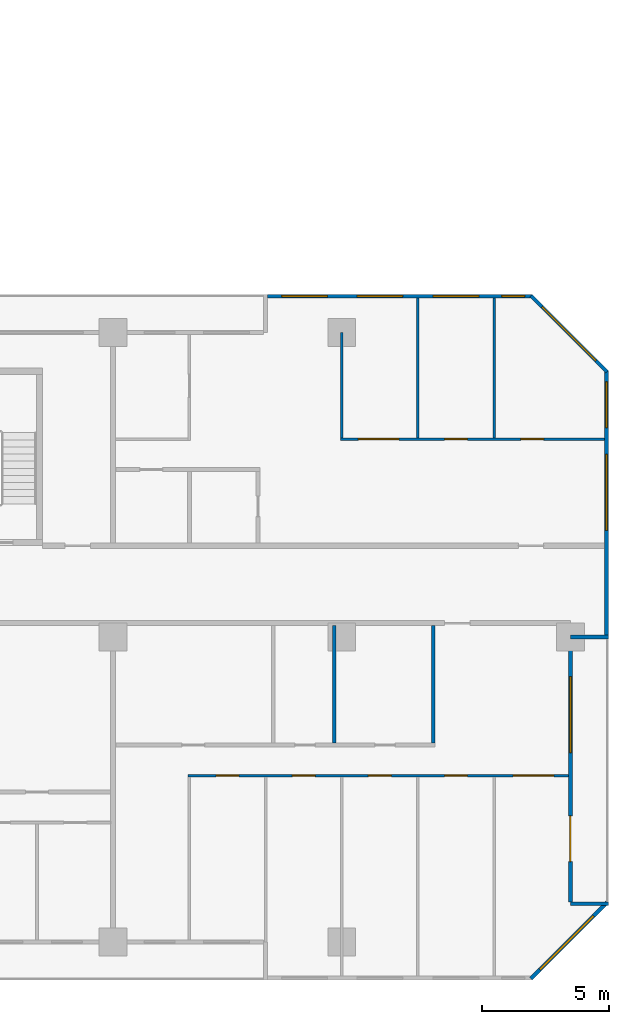
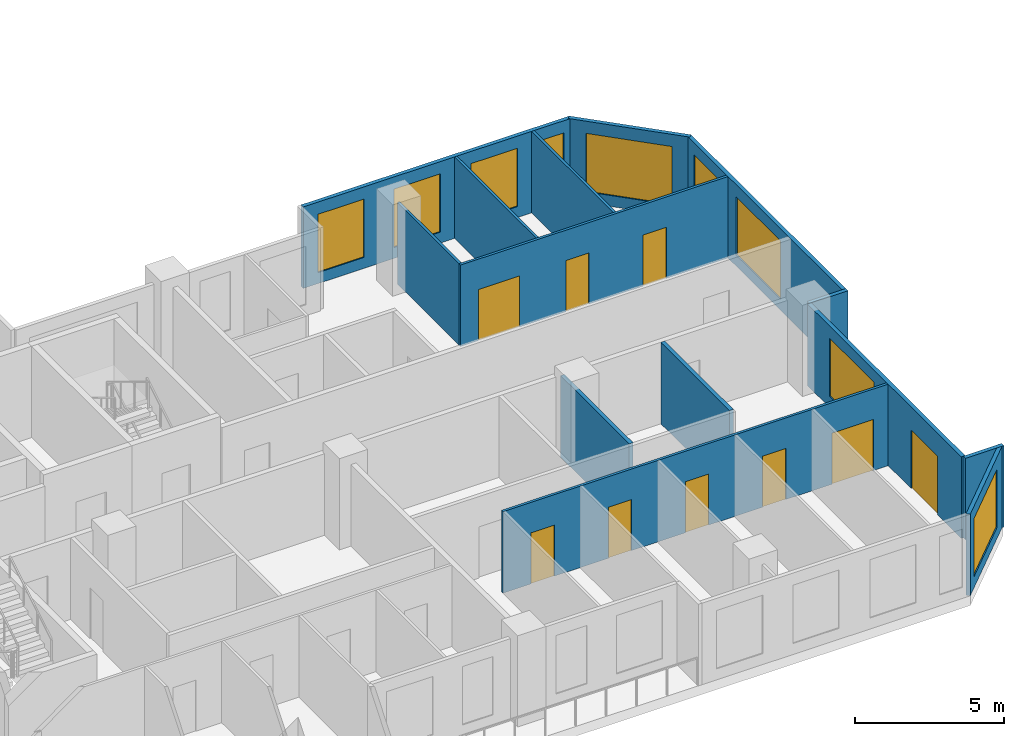
# One storey, part 12 of 15: 14 walls, 9 doors, 9 windows, 18 openings.
"""IFC4 building model written with IfcOpenShell, lengths in metres."""

from ifc_helpers import new_model, si_unit, direction, frame, frame_2d, origin, place, context, subcontext, project, spatial, rectangle, extrude, material, layer, layer_set, type_object, element, fill, save


model = new_model("IFC4")

# Units and contexts
model_context = context("Model", 3, precision=1e-05, world=origin(), true_north=direction((0.0, 1.0)))
body_context = subcontext(model_context, "Body", "Model", "MODEL_VIEW")
ifc_project = project(units=[si_unit("LENGTHUNIT", "METRE"), si_unit("AREAUNIT", "SQUARE_METRE"), si_unit("VOLUMEUNIT", "CUBIC_METRE"), si_unit("PLANEANGLEUNIT", "RADIAN"), si_unit("MASSUNIT", "GRAM", prefix="KILO")], contexts=[model_context])

# Site, building, storey
site_placement = place(None, origin())
site = spatial("IfcSite", under=ifc_project, at=site_placement, CompositionType="ELEMENT")
building_placement = place(site_placement, origin())
building = spatial("IfcBuilding", under=site, at=building_placement, Name="Chenar Terraces", CompositionType="ELEMENT")
storey_placement = place(building_placement, frame((0.0, 0.0, 67.64990234375)))
storey = spatial("IfcBuildingStorey", under=building, at=storey_placement, Name="L14", CompositionType="ELEMENT", Elevation=67.64990234375)

# Wall, openings, windows
ifc_material_1 = material(Name="Aluminium framed glazing", Category="aluminium")
ifc_layer_1 = layer(ifc_material_1, 0.14990234375)
ifc_layer_set_1 = layer_set([ifc_layer_1], Name="Aluminium framed glazing")
wall_type_1 = type_object("IfcWallType", Name="Glazed flush facade wall 150", PredefinedType="SOLIDWALL", material=ifc_layer_set_1)
wall_1_placement = place(storey_placement, frame((70.5, 25.425048828125, 0.0), z_axis=(0.0, 0.0, 1.0), x_axis=(-1.0, 0.0, 0.0)))
wall_1 = element("IfcWall", 1, at=wall_1_placement, inside=storey, type_object=wall_type_1, Name="Glazed flush facade wall", PredefinedType="SOLIDWALL", context=body_context, shape_type="SweptSolid", body=[
    extrude(rectangle(XDim=10.425048828125, YDim=0.14990234375, at=frame_2d((5.21240234375, 0.0))), origin(), (0.0, 0.0, 1.0), 3.35009765625),
])
opening_1_placement = place(wall_1_placement, frame((0.300048828125, 0.0, 0.449951171875)))
opening_1 = element("IfcOpeningElement", 2, at=opening_1_placement, cuts=wall_1, Name="Opening W90x240", PredefinedType="OPENING", context=body_context, shape_type="SweptSolid", body=[
    extrude(rectangle(XDim=0.89990234375, YDim=2.39990234375, at=frame_2d((0.449951171875, 1.199951171875))), frame((0.0, 0.0849609375, 0.0), z_axis=(0.0, -1.0, 0.0), x_axis=(1.0, 0.0, 0.0)), (0.0, 0.0, 1.0), 0.169921875),
])
opening_2_placement = place(wall_1_placement, frame((2.10009765625, 0.0, 0.449951171875)))
opening_2 = element("IfcOpeningElement", 3, at=opening_2_placement, cuts=wall_1, Name="Opening W180x240", PredefinedType="OPENING", context=body_context, shape_type="SweptSolid", body=[
    extrude(rectangle(XDim=1.800048828125, YDim=2.39990234375, at=frame_2d((0.89990234375, 1.199951171875))), frame((0.0, 0.0849609375, 0.0), z_axis=(0.0, -1.0, 0.0), x_axis=(1.0, 0.0, 0.0)), (0.0, 0.0, 1.0), 0.169921875),
])
opening_3_placement = place(wall_1_placement, frame((5.10009765625, 0.0, 0.449951171875)))
opening_3 = element("IfcOpeningElement", 4, at=opening_3_placement, cuts=wall_1, Name="Opening W180x240", PredefinedType="OPENING", context=body_context, shape_type="SweptSolid", body=[
    extrude(rectangle(XDim=1.800048828125, YDim=2.39990234375, at=frame_2d((0.89990234375, 1.199951171875))), frame((0.0, 0.0849609375, 0.0), z_axis=(0.0, -1.0, 0.0), x_axis=(1.0, 0.0, 0.0)), (0.0, 0.0, 1.0), 0.169921875),
])
opening_4_placement = place(wall_1_placement, frame((8.0625, 0.0, 0.449951171875)))
opening_4 = element("IfcOpeningElement", 5, at=opening_4_placement, cuts=wall_1, Name="Opening W180x240", PredefinedType="OPENING", context=body_context, shape_type="SweptSolid", body=[
    extrude(rectangle(XDim=1.800048828125, YDim=2.39990234375, at=frame_2d((0.89990234375, 1.199951171875))), frame((0.0, 0.0849609375, 0.0), z_axis=(0.0, -1.0, 0.0), x_axis=(1.0, 0.0, 0.0)), (0.0, 0.0, 1.0), 0.169921875),
])
ifc_material_2 = material(Name="Low emissivity double glazing, aluminium frame", Category="aluminium")
window_type_1 = type_object("IfcWindowType", Name="Fixed light 1800 x 2400", PartitioningType="SINGLE_PANEL", PredefinedType="WINDOW", material=ifc_material_2)
window_1_placement = place(opening_2_placement, origin())
window_1 = element("IfcWindow", 6, at=window_1_placement, inside=storey, type_object=window_type_1, Name="Window", OverallHeight=2.39990234375, OverallWidth=1.800048828125, PartitioningType="SINGLE_PANEL", PredefinedType="WINDOW", context=body_context, shape_type="SweptSolid", body=[
    extrude(rectangle(XDim=1.800048828125, YDim=2.39990234375, at=frame_2d((0.89990234375, 1.199951171875))), frame((0.0, 0.030029296875, 0.0), z_axis=(0.0, -1.0, 0.0), x_axis=(1.0, 0.0, 0.0)), (0.0, 0.0, 1.0), 0.06005859375),
])
fill(opening_2, window_1)
window_2_placement = place(opening_3_placement, origin())
window_2 = element("IfcWindow", 7, at=window_2_placement, inside=storey, type_object=window_type_1, Name="Window", OverallHeight=2.39990234375, OverallWidth=1.800048828125, PartitioningType="SINGLE_PANEL", PredefinedType="WINDOW", context=body_context, shape_type="SweptSolid", body=[
    extrude(rectangle(XDim=1.800048828125, YDim=2.39990234375, at=frame_2d((0.89990234375, 1.199951171875))), frame((0.0, 0.030029296875, 0.0), z_axis=(0.0, -1.0, 0.0), x_axis=(1.0, 0.0, 0.0)), (0.0, 0.0, 1.0), 0.06005859375),
])
fill(opening_3, window_2)
window_3_placement = place(opening_4_placement, origin())
window_3 = element("IfcWindow", 8, at=window_3_placement, inside=storey, type_object=window_type_1, Name="Window", OverallHeight=2.39990234375, OverallWidth=1.800048828125, PartitioningType="SINGLE_PANEL", PredefinedType="WINDOW", context=body_context, shape_type="SweptSolid", body=[
    extrude(rectangle(XDim=1.800048828125, YDim=2.39990234375, at=frame_2d((0.89990234375, 1.199951171875))), frame((0.0, 0.030029296875, 0.0), z_axis=(0.0, -1.0, 0.0), x_axis=(1.0, 0.0, 0.0)), (0.0, 0.0, 1.0), 0.06005859375),
])
fill(opening_4, window_3)
ifc_material_3 = material(Name="Low emissivity double glazing, aluminium frame", Category="aluminium")
window_type_2 = type_object("IfcWindowType", Name="Fixed light 900 x 2400", PartitioningType="SINGLE_PANEL", PredefinedType="WINDOW", material=ifc_material_3)
window_4_placement = place(opening_1_placement, origin())
window_4 = element("IfcWindow", 9, at=window_4_placement, inside=storey, type_object=window_type_2, Name="Window", OverallHeight=2.39990234375, OverallWidth=0.89990234375, PartitioningType="SINGLE_PANEL", PredefinedType="WINDOW", context=body_context, shape_type="SweptSolid", body=[
    extrude(rectangle(XDim=0.89990234375, YDim=2.39990234375, at=frame_2d((0.449951171875, 1.199951171875))), frame((0.0, 0.030029296875, 0.0), z_axis=(0.0, -1.0, 0.0), x_axis=(1.0, 0.0, 0.0)), (0.0, 0.0, 1.0), 0.06005859375),
])
fill(opening_1, window_4)

wall_2_placement = place(storey_placement, frame((73.425048828125, 12.074951171875, 0.0), z_axis=(0.0, 0.0, 1.0), x_axis=(0.0, 1.0, 0.0)))
wall_2 = element("IfcWall", 10, at=wall_2_placement, inside=storey, type_object=wall_type_1, Name="Glazed flush facade wall", PredefinedType="SOLIDWALL", context=body_context, shape_type="SweptSolid", body=[
    extrude(rectangle(XDim=10.425048828125, YDim=0.14990234375, at=frame_2d((5.21240234375, 0.0))), origin(), (0.0, 0.0, 1.0), 3.35009765625),
])
opening_5_placement = place(wall_2_placement, frame((4.125, 0.0, 0.449951171875)))
opening_5 = element("IfcOpeningElement", 11, at=opening_5_placement, cuts=wall_2, Name="Opening W300x240", PredefinedType="OPENING", context=body_context, shape_type="SweptSolid", body=[
    extrude(rectangle(XDim=3.0, YDim=2.39990234375, at=frame_2d((1.5, 1.199951171875))), frame((0.0, 0.0849609375, 0.0), z_axis=(0.0, -1.0, 0.0), x_axis=(1.0, 0.0, 0.0)), (0.0, 0.0, 1.0), 0.169921875),
])
opening_6_placement = place(wall_2_placement, frame((8.175048828125, 0.0, 0.449951171875)))
opening_6 = element("IfcOpeningElement", 12, at=opening_6_placement, cuts=wall_2, Name="Opening W180x240", PredefinedType="OPENING", context=body_context, shape_type="SweptSolid", body=[
    extrude(rectangle(XDim=1.800048828125, YDim=2.39990234375, at=frame_2d((0.89990234375, 1.199951171875))), frame((0.0, 0.0849609375, 0.0), z_axis=(0.0, -1.0, 0.0), x_axis=(1.0, 0.0, 0.0)), (0.0, 0.0, 1.0), 0.169921875),
])
window_5_placement = place(opening_6_placement, origin())
window_5 = element("IfcWindow", 13, at=window_5_placement, inside=storey, type_object=window_type_1, Name="Window", OverallHeight=2.39990234375, OverallWidth=1.800048828125, PartitioningType="SINGLE_PANEL", PredefinedType="WINDOW", context=body_context, shape_type="SweptSolid", body=[
    extrude(rectangle(XDim=1.800048828125, YDim=2.39990234375, at=frame_2d((0.89990234375, 1.199951171875))), frame((0.0, 0.030029296875, 0.0), z_axis=(0.0, -1.0, 0.0), x_axis=(1.0, 0.0, 0.0)), (0.0, 0.0, 1.0), 0.06005859375),
])
fill(opening_6, window_5)
ifc_material_4 = material(Name="Low emissivity double glazing, aluminium frame", Category="aluminium")
window_type_3 = type_object("IfcWindowType", Name="Fixed light 3000 x 2400", PartitioningType="SINGLE_PANEL", PredefinedType="WINDOW", material=ifc_material_4)
window_6_placement = place(opening_5_placement, origin())
window_6 = element("IfcWindow", 14, at=window_6_placement, inside=storey, type_object=window_type_3, Name="Window", OverallHeight=2.39990234375, OverallWidth=3.0, PartitioningType="SINGLE_PANEL", PredefinedType="WINDOW", context=body_context, shape_type="SweptSolid", body=[
    extrude(rectangle(XDim=3.0, YDim=2.39990234375, at=frame_2d((1.5, 1.199951171875))), frame((0.0, 0.030029296875, 0.0), z_axis=(0.0, -1.0, 0.0), x_axis=(1.0, 0.0, 0.0)), (0.0, 0.0, 1.0), 0.06005859375),
])
fill(opening_5, window_6)

# Wall, openings, window, door
ifc_material_5 = material(Name="Aluminium framed glazing", Category="aluminium")
ifc_layer_2 = layer(ifc_material_5, 0.14990234375)
ifc_layer_set_2 = layer_set([ifc_layer_2], Name="Aluminium framed glazing")
wall_type_2 = type_object("IfcWallType", Name="Glazed loggia back wall 150", PredefinedType="SOLIDWALL", material=ifc_layer_set_2)
wall_3_placement = place(storey_placement, frame((72.0, 1.574951171875, 0.0), z_axis=(0.0, 0.0, 1.0), x_axis=(0.0, 1.0, 0.0)))
wall_3 = element("IfcWall", 15, at=wall_3_placement, inside=storey, type_object=wall_type_2, Name="Glazed loggia back wall", PredefinedType="SOLIDWALL", context=body_context, shape_type="SweptSolid", body=[
    extrude(rectangle(XDim=10.35009765625, YDim=0.14990234375, at=frame_2d((5.175048828125, 0.0))), origin(), (0.0, 0.0, 1.0), 3.35009765625),
])
opening_7_placement = place(wall_3_placement, frame((1.58740234375, 0.0, 0.0)))
opening_7 = element("IfcOpeningElement", 16, at=opening_7_placement, cuts=wall_3, Name="Opening DL14-G6", PredefinedType="OPENING", context=body_context, shape_type="SweptSolid", body=[
    extrude(rectangle(XDim=1.800048828125, YDim=2.39990234375, at=frame_2d((0.89990234375, 1.199951171875))), frame((0.0, 0.0849609375, 0.0), z_axis=(0.0, -1.0, 0.0), x_axis=(1.0, 0.0, 0.0)), (0.0, 0.0, 1.0), 0.169921875),
])
opening_8_placement = place(wall_3_placement, frame((5.875, 0.0, 0.449951171875)))
opening_8 = element("IfcOpeningElement", 17, at=opening_8_placement, cuts=wall_3, Name="Opening W300x240", PredefinedType="OPENING", context=body_context, shape_type="SweptSolid", body=[
    extrude(rectangle(XDim=3.0, YDim=2.39990234375, at=frame_2d((1.5, 1.199951171875))), frame((0.0, 0.0849609375, 0.0), z_axis=(0.0, -1.0, 0.0), x_axis=(1.0, 0.0, 0.0)), (0.0, 0.0, 1.0), 0.169921875),
])
window_7_placement = place(opening_8_placement, origin())
window_7 = element("IfcWindow", 18, at=window_7_placement, inside=storey, type_object=window_type_3, Name="Window", OverallHeight=2.39990234375, OverallWidth=3.0, PartitioningType="SINGLE_PANEL", PredefinedType="WINDOW", context=body_context, shape_type="SweptSolid", body=[
    extrude(rectangle(XDim=3.0, YDim=2.39990234375, at=frame_2d((1.5, 1.199951171875))), frame((0.0, 0.030029296875, 0.0), z_axis=(0.0, -1.0, 0.0), x_axis=(1.0, 0.0, 0.0)), (0.0, 0.0, 1.0), 0.06005859375),
])
fill(opening_8, window_7)
ifc_material_6 = material(Name="Low emissivity double glazing, aluminium frame", Category="aluminium")
door_type_1 = type_object("IfcDoorType", Name="Loggia glazed double door 1800 x 2400", OperationType="DOUBLE_DOOR_SINGLE_SWING", PredefinedType="DOOR", material=ifc_material_6)
door_1_placement = place(opening_7_placement, frame((1.800048828125, 0.0, 0.0), z_axis=(0.0, 0.0, 1.0), x_axis=(-1.0, 0.0, 0.0)))
door_1 = element("IfcDoor", 19, at=door_1_placement, inside=storey, type_object=door_type_1, Name="Loggia glazed door", OperationType="DOUBLE_DOOR_SINGLE_SWING", OverallHeight=2.39990234375, OverallWidth=1.800048828125, PredefinedType="DOOR", context=body_context, shape_type="SweptSolid", body=[
    extrude(rectangle(XDim=1.800048828125, YDim=2.39990234375, at=frame_2d((0.89990234375, 1.199951171875))), frame((0.0, 0.02490234375, 0.0), z_axis=(0.0, -1.0, 0.0), x_axis=(1.0, 0.0, 0.0)), (0.0, 0.0, 1.0), 0.050048828125),
])
fill(opening_7, door_1)

# Wall, openings, doors
ifc_material_7 = material(Name="Gypsum board on steel studs", Category="steel")
ifc_layer_3 = layer(ifc_material_7, 0.10009765625)
ifc_layer_set_3 = layer_set([ifc_layer_3], Name="Gypsum board on steel studs")
wall_type_3 = type_object("IfcWallType", Name="Gypsum partition 100", PredefinedType="PARTITIONING", material=ifc_layer_set_3)
wall_4_placement = place(storey_placement, frame((56.949951171875, 6.550048828125, 0.0), z_axis=(0.0, 0.0, 1.0), x_axis=(1.0, 0.0, 0.0)))
wall_4 = element("IfcWall", 20, at=wall_4_placement, inside=storey, type_object=wall_type_3, Name="Partition L14-076", PredefinedType="PARTITIONING", context=body_context, shape_type="SweptSolid", body=[
    extrude(rectangle(XDim=14.97607421875, YDim=0.10009765625, at=frame_2d((7.488037109375, 0.0))), origin(), (0.0, 0.0, 1.0), 3.35009765625),
])
opening_9_placement = place(wall_4_placement, frame((4.10009765625, 0.0, 0.0)))
opening_9 = element("IfcOpeningElement", 21, at=opening_9_placement, cuts=wall_4, Name="Opening DL14-12", PredefinedType="OPENING", context=body_context, shape_type="SweptSolid", body=[
    extrude(rectangle(XDim=0.89990234375, YDim=2.10009765625, at=frame_2d((0.449951171875, 1.050048828125))), frame((0.0, 0.06005859375, 0.0), z_axis=(0.0, -1.0, 0.0), x_axis=(1.0, 0.0, 0.0)), (0.0, 0.0, 1.0), 0.1201171875),
])
opening_10_placement = place(wall_4_placement, frame((7.10009765625, 0.0, 0.0)))
opening_10 = element("IfcOpeningElement", 22, at=opening_10_placement, cuts=wall_4, Name="Opening DL14-13", PredefinedType="OPENING", context=body_context, shape_type="SweptSolid", body=[
    extrude(rectangle(XDim=0.89990234375, YDim=2.10009765625, at=frame_2d((0.449951171875, 1.050048828125))), frame((0.0, 0.06005859375, 0.0), z_axis=(0.0, -1.0, 0.0), x_axis=(1.0, 0.0, 0.0)), (0.0, 0.0, 1.0), 0.1201171875),
])
opening_11_placement = place(wall_4_placement, frame((10.10009765625, 0.0, 0.0)))
opening_11 = element("IfcOpeningElement", 23, at=opening_11_placement, cuts=wall_4, Name="Opening DL14-14", PredefinedType="OPENING", context=body_context, shape_type="SweptSolid", body=[
    extrude(rectangle(XDim=0.89990234375, YDim=2.10009765625, at=frame_2d((0.449951171875, 1.050048828125))), frame((0.0, 0.06005859375, 0.0), z_axis=(0.0, -1.0, 0.0), x_axis=(1.0, 0.0, 0.0)), (0.0, 0.0, 1.0), 0.1201171875),
])
opening_12_placement = place(wall_4_placement, frame((12.800048828125, 0.0, 0.0)))
opening_12 = element("IfcOpeningElement", 24, at=opening_12_placement, cuts=wall_4, Name="Opening DL14-17", PredefinedType="OPENING", context=body_context, shape_type="SweptSolid", body=[
    extrude(rectangle(XDim=1.60009765625, YDim=2.10009765625, at=frame_2d((0.800048828125, 1.050048828125))), frame((0.0, 0.06005859375, 0.0), z_axis=(0.0, -1.0, 0.0), x_axis=(1.0, 0.0, 0.0)), (0.0, 0.0, 1.0), 0.1201171875),
])
opening_13_placement = place(wall_4_placement, frame((1.10009765625, 0.0, 0.0)))
opening_13 = element("IfcOpeningElement", 25, at=opening_13_placement, cuts=wall_4, Name="Opening DL14-18", PredefinedType="OPENING", context=body_context, shape_type="SweptSolid", body=[
    extrude(rectangle(XDim=0.89990234375, YDim=2.10009765625, at=frame_2d((0.449951171875, 1.050048828125))), frame((0.0, 0.06005859375, 0.0), z_axis=(0.0, -1.0, 0.0), x_axis=(1.0, 0.0, 0.0)), (0.0, 0.0, 1.0), 0.1201171875),
])
ifc_material_8 = material(Name="Veneered timber door leaf", Category="wood")
door_type_2 = type_object("IfcDoorType", Name="Door 900 x 2100", OperationType="SINGLE_SWING_LEFT", PredefinedType="DOOR", material=ifc_material_8)
door_2_placement = place(opening_9_placement, frame((0.89990234375, 0.0, 0.0), z_axis=(0.0, 0.0, 1.0), x_axis=(-1.0, 0.0, 0.0)))
door_2 = element("IfcDoor", 26, at=door_2_placement, inside=storey, type_object=door_type_2, Name="Door DL14-12", OperationType="SINGLE_SWING_RIGHT", OverallHeight=2.10009765625, OverallWidth=0.89990234375, PredefinedType="DOOR", context=body_context, shape_type="SweptSolid", body=[
    extrude(rectangle(XDim=0.89990234375, YDim=2.10009765625, at=frame_2d((0.449951171875, 1.050048828125))), frame((0.0, 0.02490234375, 0.0), z_axis=(0.0, -1.0, 0.0), x_axis=(1.0, 0.0, 0.0)), (0.0, 0.0, 1.0), 0.050048828125),
])
fill(opening_9, door_2)
door_3_placement = place(opening_10_placement, frame((0.89990234375, 0.0, 0.0), z_axis=(0.0, 0.0, 1.0), x_axis=(-1.0, 0.0, 0.0)))
door_3 = element("IfcDoor", 27, at=door_3_placement, inside=storey, type_object=door_type_2, Name="Door DL14-13", OperationType="SINGLE_SWING_RIGHT", OverallHeight=2.10009765625, OverallWidth=0.89990234375, PredefinedType="DOOR", context=body_context, shape_type="SweptSolid", body=[
    extrude(rectangle(XDim=0.89990234375, YDim=2.10009765625, at=frame_2d((0.449951171875, 1.050048828125))), frame((0.0, 0.02490234375, 0.0), z_axis=(0.0, -1.0, 0.0), x_axis=(1.0, 0.0, 0.0)), (0.0, 0.0, 1.0), 0.050048828125),
])
fill(opening_10, door_3)
door_4_placement = place(opening_11_placement, frame((0.89990234375, 0.0, 0.0), z_axis=(0.0, 0.0, 1.0), x_axis=(-1.0, 0.0, 0.0)))
door_4 = element("IfcDoor", 28, at=door_4_placement, inside=storey, type_object=door_type_2, Name="Door DL14-14", OperationType="SINGLE_SWING_RIGHT", OverallHeight=2.10009765625, OverallWidth=0.89990234375, PredefinedType="DOOR", context=body_context, shape_type="SweptSolid", body=[
    extrude(rectangle(XDim=0.89990234375, YDim=2.10009765625, at=frame_2d((0.449951171875, 1.050048828125))), frame((0.0, 0.02490234375, 0.0), z_axis=(0.0, -1.0, 0.0), x_axis=(1.0, 0.0, 0.0)), (0.0, 0.0, 1.0), 0.050048828125),
])
fill(opening_11, door_4)
door_5_placement = place(opening_13_placement, frame((0.89990234375, 0.0, 0.0), z_axis=(0.0, 0.0, 1.0), x_axis=(-1.0, 0.0, 0.0)))
door_5 = element("IfcDoor", 29, at=door_5_placement, inside=storey, type_object=door_type_2, Name="Door DL14-18", OperationType="SINGLE_SWING_RIGHT", OverallHeight=2.10009765625, OverallWidth=0.89990234375, PredefinedType="DOOR", context=body_context, shape_type="SweptSolid", body=[
    extrude(rectangle(XDim=0.89990234375, YDim=2.10009765625, at=frame_2d((0.449951171875, 1.050048828125))), frame((0.0, 0.02490234375, 0.0), z_axis=(0.0, -1.0, 0.0), x_axis=(1.0, 0.0, 0.0)), (0.0, 0.0, 1.0), 0.050048828125),
])
fill(opening_13, door_5)
ifc_material_9 = material(Name="Veneered timber door leaf", Category="wood")
door_type_3 = type_object("IfcDoorType", Name="Double door 1600 x 2100", OperationType="DOUBLE_DOOR_SINGLE_SWING", PredefinedType="DOOR", material=ifc_material_9)
door_6_placement = place(opening_12_placement, frame((1.60009765625, 0.0, 0.0), z_axis=(0.0, 0.0, 1.0), x_axis=(-1.0, 0.0, 0.0)))
door_6 = element("IfcDoor", 30, at=door_6_placement, inside=storey, type_object=door_type_3, Name="Door DL14-17", OperationType="DOUBLE_DOOR_SINGLE_SWING", OverallHeight=2.10009765625, OverallWidth=1.60009765625, PredefinedType="DOOR", context=body_context, shape_type="SweptSolid", body=[
    extrude(rectangle(XDim=1.60009765625, YDim=2.10009765625, at=frame_2d((0.800048828125, 1.050048828125))), frame((0.0, 0.02490234375, 0.0), z_axis=(0.0, -1.0, 0.0), x_axis=(1.0, 0.0, 0.0)), (0.0, 0.0, 1.0), 0.050048828125),
])
fill(opening_12, door_6)

wall_5_placement = place(storey_placement, frame((62.949951171875, 19.800048828125, 0.0), z_axis=(0.0, 0.0, 1.0), x_axis=(1.0, 0.0, 0.0)))
wall_5 = element("IfcWall", 31, at=wall_5_placement, inside=storey, type_object=wall_type_3, Name="Partition L14-084", PredefinedType="PARTITIONING", context=body_context, shape_type="SweptSolid", body=[
    extrude(rectangle(XDim=10.400146484375, YDim=0.10009765625, at=frame_2d((5.2001953125, 0.0))), origin(), (0.0, 0.0, 1.0), 3.35009765625),
])
opening_14_placement = place(wall_5_placement, frame((4.10009765625, 0.0, 0.0)))
opening_14 = element("IfcOpeningElement", 32, at=opening_14_placement, cuts=wall_5, Name="Opening DL14-5", PredefinedType="OPENING", context=body_context, shape_type="SweptSolid", body=[
    extrude(rectangle(XDim=0.89990234375, YDim=2.10009765625, at=frame_2d((0.449951171875, 1.050048828125))), frame((0.0, 0.06005859375, 0.0), z_axis=(0.0, -1.0, 0.0), x_axis=(1.0, 0.0, 0.0)), (0.0, 0.0, 1.0), 0.1201171875),
])
opening_15_placement = place(wall_5_placement, frame((7.10009765625, 0.0, 0.0)))
opening_15 = element("IfcOpeningElement", 33, at=opening_15_placement, cuts=wall_5, Name="Opening DL14-6", PredefinedType="OPENING", context=body_context, shape_type="SweptSolid", body=[
    extrude(rectangle(XDim=0.89990234375, YDim=2.10009765625, at=frame_2d((0.449951171875, 1.050048828125))), frame((0.0, 0.06005859375, 0.0), z_axis=(0.0, -1.0, 0.0), x_axis=(1.0, 0.0, 0.0)), (0.0, 0.0, 1.0), 0.1201171875),
])
opening_16_placement = place(wall_5_placement, frame((0.699951171875, 0.0, 0.0)))
opening_16 = element("IfcOpeningElement", 34, at=opening_16_placement, cuts=wall_5, Name="Opening DL14-9", PredefinedType="OPENING", context=body_context, shape_type="SweptSolid", body=[
    extrude(rectangle(XDim=1.60009765625, YDim=2.10009765625, at=frame_2d((0.800048828125, 1.050048828125))), frame((0.0, 0.06005859375, 0.0), z_axis=(0.0, -1.0, 0.0), x_axis=(1.0, 0.0, 0.0)), (0.0, 0.0, 1.0), 0.1201171875),
])
door_7_placement = place(opening_14_placement, origin())
door_7 = element("IfcDoor", 35, at=door_7_placement, inside=storey, type_object=door_type_2, Name="Door DL14-5", OperationType="SINGLE_SWING_LEFT", OverallHeight=2.10009765625, OverallWidth=0.89990234375, PredefinedType="DOOR", context=body_context, shape_type="SweptSolid", body=[
    extrude(rectangle(XDim=0.89990234375, YDim=2.10009765625, at=frame_2d((0.449951171875, 1.050048828125))), frame((0.0, 0.02490234375, 0.0), z_axis=(0.0, -1.0, 0.0), x_axis=(1.0, 0.0, 0.0)), (0.0, 0.0, 1.0), 0.050048828125),
])
fill(opening_14, door_7)
door_8_placement = place(opening_15_placement, origin())
door_8 = element("IfcDoor", 36, at=door_8_placement, inside=storey, type_object=door_type_2, Name="Door DL14-6", OperationType="SINGLE_SWING_LEFT", OverallHeight=2.10009765625, OverallWidth=0.89990234375, PredefinedType="DOOR", context=body_context, shape_type="SweptSolid", body=[
    extrude(rectangle(XDim=0.89990234375, YDim=2.10009765625, at=frame_2d((0.449951171875, 1.050048828125))), frame((0.0, 0.02490234375, 0.0), z_axis=(0.0, -1.0, 0.0), x_axis=(1.0, 0.0, 0.0)), (0.0, 0.0, 1.0), 0.050048828125),
])
fill(opening_15, door_8)
door_9_placement = place(opening_16_placement, origin())
door_9 = element("IfcDoor", 37, at=door_9_placement, inside=storey, type_object=door_type_3, Name="Door DL14-9", OperationType="DOUBLE_DOOR_SINGLE_SWING", OverallHeight=2.10009765625, OverallWidth=1.60009765625, PredefinedType="DOOR", context=body_context, shape_type="SweptSolid", body=[
    extrude(rectangle(XDim=1.60009765625, YDim=2.10009765625, at=frame_2d((0.800048828125, 1.050048828125))), frame((0.0, 0.02490234375, 0.0), z_axis=(0.0, -1.0, 0.0), x_axis=(1.0, 0.0, 0.0)), (0.0, 0.0, 1.0), 0.050048828125),
])
fill(opening_16, door_9)

# Walls
wall_6_placement = place(storey_placement, frame((63.0, 19.85009765625, 0.0), z_axis=(0.0, 0.0, 1.0), x_axis=(0.0, 1.0, 0.0)))
element("IfcWall", 38, at=wall_6_placement, inside=storey, type_object=wall_type_3, Name="Partition L14-086", PredefinedType="PARTITIONING", context=body_context, shape_type="SweptSolid", body=[
    extrude(rectangle(XDim=4.14990234375, YDim=0.10009765625, at=frame_2d((2.074951171875, 0.0))), origin(), (0.0, 0.0, 1.0), 3.35009765625),
])
for number, where, z_axis, x_axis, name in (
    (39, (66.0, 19.85009765625, 0.0), (0.0, 0.0, 1.0), (0.0, 1.0, 0.0), "Partition L14-088"),
    (40, (69.0, 19.85009765625, 0.0), (0.0, 0.0, 1.0), (0.0, 1.0, 0.0), "Partition L14-091"),
):
    element("IfcWall", number, at=place(storey_placement, frame(where, z_axis=z_axis, x_axis=x_axis)), inside=storey, type_object=wall_type_3, Name=name, PredefinedType="PARTITIONING", context=body_context, shape_type="SweptSolid", body=[
        extrude(rectangle(XDim=5.5009765625, YDim=0.10009765625, at=frame_2d((2.75048828125, 0.0))), origin(), (0.0, 0.0, 1.0), 3.35009765625),
    ])
ifc_material_10 = material(Name="Terracotta cladding on insulated backing", Category="masonry")
ifc_layer_4 = layer(ifc_material_10, 0.14990234375)
ifc_layer_set_4 = layer_set([ifc_layer_4], Name="Terracotta cladding on insulated backing")
wall_type_4 = type_object("IfcWallType", Name="Loggia return wall 150", PredefinedType="SOLIDWALL", material=ifc_layer_set_4)
for number, where, z_axis, x_axis, name in (
    (41, (73.5, 1.5, 0.0), (0.0, 0.0, 1.0), (-1.0, 0.0, 0.0), "Loggia return wall"),
    (42, (73.5, 12.0, 0.0), (0.0, 0.0, 1.0), (-1.0, 0.0, 0.0), "Loggia return wall"),
):
    element("IfcWall", number, at=place(storey_placement, frame(where, z_axis=z_axis, x_axis=x_axis)), inside=storey, type_object=wall_type_4, Name=name, PredefinedType="SOLIDWALL", context=body_context, shape_type="SweptSolid", body=[
        extrude(rectangle(XDim=1.5, YDim=0.14990234375, at=frame_2d((0.75, 0.0))), origin(), (0.0, 0.0, 1.0), 3.35009765625),
    ])

# Wall, opening, window
ifc_material_11 = material(Name="Terracotta cladding on insulated backing", Category="masonry")
ifc_layer_5 = layer(ifc_material_11, 0.14990234375)
ifc_layer_set_5 = layer_set([ifc_layer_5], Name="Terracotta cladding on insulated backing")
wall_type_5 = type_object("IfcWallType", Name="Terracotta rainscreen wall 150", PredefinedType="SOLIDWALL", material=ifc_layer_set_5)
wall_7_placement = place(storey_placement, frame((70.447021484375, -1.447021484375, 0.0), z_axis=(0.0, 0.0, 1.0), x_axis=(0.707106781187, 0.707106781187, 0.0)))
wall_7 = element("IfcWall", 43, at=wall_7_placement, inside=storey, type_object=wall_type_5, Name="Terracotta rainscreen wall", PredefinedType="SOLIDWALL", context=body_context, shape_type="SweptSolid", body=[
    extrude(rectangle(XDim=4.24267578125, YDim=0.14990234375, at=frame_2d((2.121337890625, 0.0))), origin(), (0.0, 0.0, 1.0), 3.35009765625),
])
opening_17_placement = place(wall_7_placement, frame((0.498046875, 0.0, 0.449951171875)))
opening_17 = element("IfcOpeningElement", 44, at=opening_17_placement, cuts=wall_7, Name="Opening W300x240", PredefinedType="OPENING", context=body_context, shape_type="SweptSolid", body=[
    extrude(rectangle(XDim=3.0, YDim=2.39990234375, at=frame_2d((1.5, 1.199951171875))), frame((0.0, 0.0849609375, 0.0), z_axis=(0.0, -1.0, 0.0), x_axis=(1.0, 0.0, 0.0)), (0.0, 0.0, 1.0), 0.169921875),
])
window_8_placement = place(opening_17_placement, origin())
window_8 = element("IfcWindow", 45, at=window_8_placement, inside=storey, type_object=window_type_3, Name="Window", OverallHeight=2.39990234375, OverallWidth=3.0, PartitioningType="SINGLE_PANEL", PredefinedType="WINDOW", context=body_context, shape_type="SweptSolid", body=[
    extrude(rectangle(XDim=3.0, YDim=2.39990234375, at=frame_2d((1.5, 1.199951171875))), frame((0.0, 0.030029296875, 0.0), z_axis=(0.0, -1.0, 0.0), x_axis=(1.0, 0.0, 0.0)), (0.0, 0.0, 1.0), 0.06005859375),
])
fill(opening_17, window_8)

wall_8_placement = place(storey_placement, frame((73.447021484375, 22.447021484375, 0.0), z_axis=(0.0, 0.0, 1.0), x_axis=(-0.707106781187, 0.707106781187, 0.0)))
wall_8 = element("IfcWall", 46, at=wall_8_placement, inside=storey, type_object=wall_type_5, Name="Terracotta rainscreen wall", PredefinedType="SOLIDWALL", context=body_context, shape_type="SweptSolid", body=[
    extrude(rectangle(XDim=4.24267578125, YDim=0.14990234375, at=frame_2d((2.121337890625, 0.0))), origin(), (0.0, 0.0, 1.0), 3.35009765625),
])
opening_18_placement = place(wall_8_placement, frame((0.621337890625, 0.0, 0.449951171875)))
opening_18 = element("IfcOpeningElement", 47, at=opening_18_placement, cuts=wall_8, Name="Opening W300x240", PredefinedType="OPENING", context=body_context, shape_type="SweptSolid", body=[
    extrude(rectangle(XDim=3.0, YDim=2.39990234375, at=frame_2d((1.5, 1.199951171875))), frame((0.0, 0.0849609375, 0.0), z_axis=(0.0, -1.0, 0.0), x_axis=(1.0, 0.0, 0.0)), (0.0, 0.0, 1.0), 0.169921875),
])
window_9_placement = place(opening_18_placement, origin())
window_9 = element("IfcWindow", 48, at=window_9_placement, inside=storey, type_object=window_type_3, Name="Window", OverallHeight=2.39990234375, OverallWidth=3.0, PartitioningType="SINGLE_PANEL", PredefinedType="WINDOW", context=body_context, shape_type="SweptSolid", body=[
    extrude(rectangle(XDim=3.0, YDim=2.39990234375, at=frame_2d((1.5, 1.199951171875))), frame((0.0, 0.030029296875, 0.0), z_axis=(0.0, -1.0, 0.0), x_axis=(1.0, 0.0, 0.0)), (0.0, 0.0, 1.0), 0.06005859375),
])
fill(opening_18, window_9)

# Walls
ifc_material_12 = material(Name="Moisture-resistant gypsum board on steel studs", Category="steel")
ifc_layer_6 = layer(ifc_material_12, 0.14990234375)
ifc_layer_set_6 = layer_set([ifc_layer_6], Name="Moisture-resistant gypsum board on steel studs")
wall_type_6 = type_object("IfcWallType", Name="Wet-room partition 150", PredefinedType="PARTITIONING", material=ifc_layer_set_6)
for number, where, z_axis, x_axis, name in (
    (49, (62.699951171875, 7.824951171875, 0.0), (0.0, 0.0, 1.0), (0.0, 1.0, 0.0), "Partition L14-083"),
    (50, (66.60009765625, 7.824951171875, 0.0), (0.0, 0.0, 1.0), (0.0, 1.0, 0.0), "Partition L14-089"),
):
    element("IfcWall", number, at=place(storey_placement, frame(where, z_axis=z_axis, x_axis=x_axis)), inside=storey, type_object=wall_type_6, Name=name, PredefinedType="PARTITIONING", context=body_context, shape_type="SweptSolid", body=[
        extrude(rectangle(XDim=4.625, YDim=0.14990234375, at=frame_2d((2.3125, 0.0))), origin(), (0.0, 0.0, 1.0), 3.35009765625),
    ])

save(model, "model.ifc")
